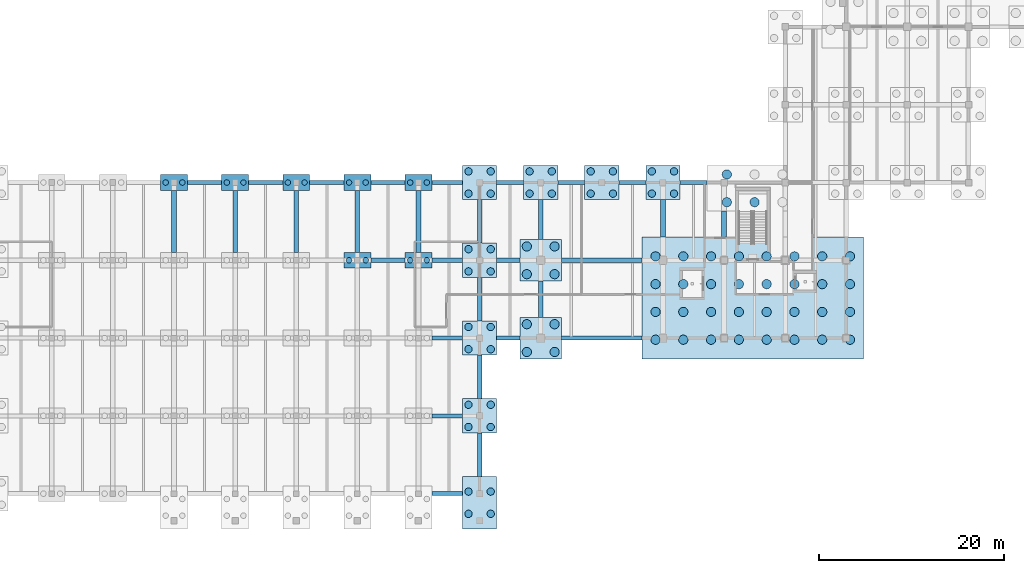
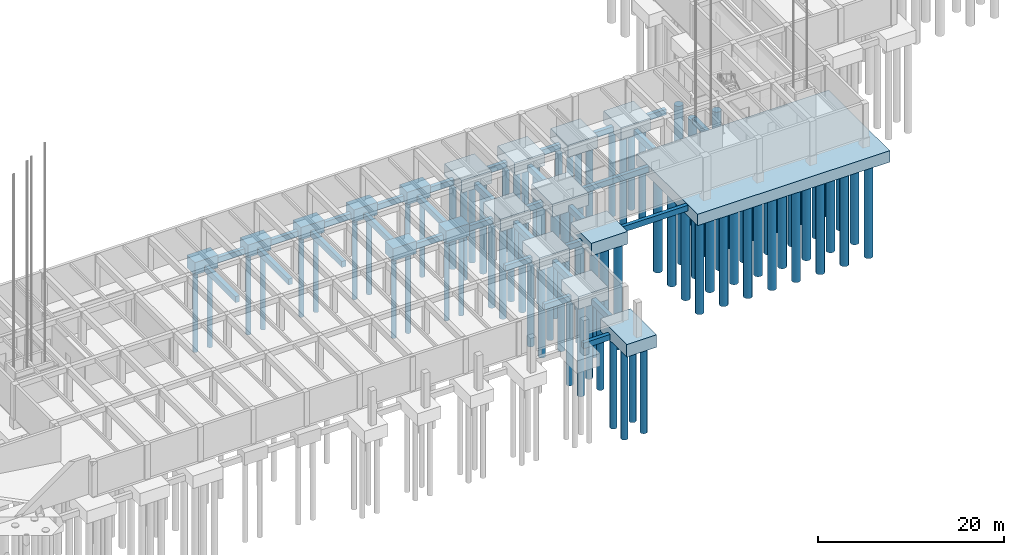
# One storey, part 3 of 44: 89 piles, 49 footings.
"""IFC4 building model written with IfcOpenShell, lengths in metres."""

from ifc_helpers import new_model, si_unit, direction, frame, origin, origin_2d, place, context, subcontext, project, spatial, rectangle, circle, extrude, material, material_profile, profile_set, type_object, element, save


model = new_model("IFC4")

# Units and contexts
model_context = context("Model", 3, precision=1e-05, world=origin(), true_north=direction((0.0, 1.0)))
body_context = subcontext(model_context, "Body", "Model", "MODEL_VIEW")
ifc_project = project(units=[si_unit("LENGTHUNIT", "METRE"), si_unit("AREAUNIT", "SQUARE_METRE"), si_unit("VOLUMEUNIT", "CUBIC_METRE"), si_unit("PLANEANGLEUNIT", "RADIAN"), si_unit("MASSUNIT", "GRAM", prefix="KILO")], contexts=[model_context])

# Site, building, storey
site_placement = place(None, origin())
site = spatial("IfcSite", under=ifc_project, at=site_placement, CompositionType="ELEMENT")
building_placement = place(site_placement, origin())
building = spatial("IfcBuilding", under=site, at=building_placement, Name="Kolvaren Faculty of Natural Sciences", CompositionType="ELEMENT")
storey_placement = place(building_placement, frame((0.0, 0.0, -4.5)))
storey = spatial("IfcBuildingStorey", under=building, at=storey_placement, Name="B01", CompositionType="ELEMENT", Elevation=-4.5)

# Piles
ifc_material = material(Name="Concrete C35/45", Category="concrete")
ifc_material_profile_1 = material_profile(ifc_material, circle(Radius=0.5, at=origin_2d()), Name="PILE D1000")
ifc_profile_set_1 = profile_set([ifc_material_profile_1], Name="Concrete C35/45")
pile_type_1 = type_object("IfcPileType", Name="BoredPile_1000", PredefinedType="BORED", material=ifc_profile_set_1)
for number, where, z_axis, x_axis, name in (
    (1, (104.300048828125, 23.89990234375, -1.949951171875), (0.0, 0.0, -1.0), (1.0, 0.0, 0.0), "Rock-socketed bored pile BP-1000 under CAP-057"),
    (2, (104.300048828125, 26.89990234375, -1.949951171875), (0.0, 0.0, -1.0), (1.0, 0.0, 0.0), "Rock-socketed bored pile BP-1000 under CAP-057"),
    (3, (107.300048828125, 23.89990234375, -1.949951171875), (0.0, 0.0, -1.0), (1.0, 0.0, 0.0), "Rock-socketed bored pile BP-1000 under CAP-057"),
    (4, (107.300048828125, 26.89990234375, -1.949951171875), (0.0, 0.0, -1.0), (1.0, 0.0, 0.0), "Rock-socketed bored pile BP-1000 under CAP-057"),
    (5, (104.300048828125, 32.300048828125, -1.949951171875), (0.0, 0.0, -1.0), (1.0, 0.0, 0.0), "Rock-socketed bored pile BP-1000 under CAP-058"),
    (6, (104.300048828125, 35.300048828125, -1.949951171875), (0.0, 0.0, -1.0), (1.0, 0.0, 0.0), "Rock-socketed bored pile BP-1000 under CAP-058"),
    (7, (107.300048828125, 32.300048828125, -1.949951171875), (0.0, 0.0, -1.0), (1.0, 0.0, 0.0), "Rock-socketed bored pile BP-1000 under CAP-058"),
    (8, (107.300048828125, 35.300048828125, -1.949951171875), (0.0, 0.0, -1.0), (1.0, 0.0, 0.0), "Rock-socketed bored pile BP-1000 under CAP-058"),
):
    element("IfcPile", number, at=place(storey_placement, frame(where, z_axis=z_axis, x_axis=x_axis)), inside=storey, type_object=pile_type_1, Name=name, PredefinedType="BORED", context=body_context, shape_type="SweptSolid", body=[
        extrude(circle(Radius=0.5, at=origin_2d()), origin(), (0.0, 0.0, 1.0), 13.85009765625),
    ])
for number, where, z_axis, x_axis, name in (
    (9, (118.199951171875, 25.22509765625, -2.60009765625), (0.0, 0.0, -1.0), (1.0, 0.0, 0.0), "Rock-socketed bored pile BP-1000 under CAP-061"),
    (10, (118.199951171875, 28.22509765625, -2.60009765625), (0.0, 0.0, -1.0), (1.0, 0.0, 0.0), "Rock-socketed bored pile BP-1000 under CAP-061"),
    (11, (118.199951171875, 31.22509765625, -2.60009765625), (0.0, 0.0, -1.0), (1.0, 0.0, 0.0), "Rock-socketed bored pile BP-1000 under CAP-061"),
    (12, (118.199951171875, 34.22509765625, -2.60009765625), (0.0, 0.0, -1.0), (1.0, 0.0, 0.0), "Rock-socketed bored pile BP-1000 under CAP-061"),
    (13, (121.199951171875, 25.22509765625, -2.60009765625), (0.0, 0.0, -1.0), (1.0, 0.0, 0.0), "Rock-socketed bored pile BP-1000 under CAP-061"),
    (14, (121.199951171875, 28.22509765625, -2.60009765625), (0.0, 0.0, -1.0), (1.0, 0.0, 0.0), "Rock-socketed bored pile BP-1000 under CAP-061"),
    (15, (121.199951171875, 31.22509765625, -2.60009765625), (0.0, 0.0, -1.0), (1.0, 0.0, 0.0), "Rock-socketed bored pile BP-1000 under CAP-061"),
    (16, (121.199951171875, 34.22509765625, -2.60009765625), (0.0, 0.0, -1.0), (1.0, 0.0, 0.0), "Rock-socketed bored pile BP-1000 under CAP-061"),
    (17, (124.199951171875, 25.22509765625, -2.60009765625), (0.0, 0.0, -1.0), (1.0, 0.0, 0.0), "Rock-socketed bored pile BP-1000 under CAP-061"),
    (18, (124.199951171875, 28.22509765625, -2.60009765625), (0.0, 0.0, -1.0), (1.0, 0.0, 0.0), "Rock-socketed bored pile BP-1000 under CAP-061"),
    (19, (124.199951171875, 31.22509765625, -2.60009765625), (0.0, 0.0, -1.0), (1.0, 0.0, 0.0), "Rock-socketed bored pile BP-1000 under CAP-061"),
    (20, (124.199951171875, 34.22509765625, -2.60009765625), (0.0, 0.0, -1.0), (1.0, 0.0, 0.0), "Rock-socketed bored pile BP-1000 under CAP-061"),
    (21, (127.199951171875, 25.22509765625, -2.60009765625), (0.0, 0.0, -1.0), (1.0, 0.0, 0.0), "Rock-socketed bored pile BP-1000 under CAP-061"),
    (22, (127.199951171875, 28.22509765625, -2.60009765625), (0.0, 0.0, -1.0), (1.0, 0.0, 0.0), "Rock-socketed bored pile BP-1000 under CAP-061"),
    (23, (127.199951171875, 31.22509765625, -2.60009765625), (0.0, 0.0, -1.0), (1.0, 0.0, 0.0), "Rock-socketed bored pile BP-1000 under CAP-061"),
    (24, (127.199951171875, 34.22509765625, -2.60009765625), (0.0, 0.0, -1.0), (1.0, 0.0, 0.0), "Rock-socketed bored pile BP-1000 under CAP-061"),
    (25, (130.199951171875, 25.22509765625, -2.60009765625), (0.0, 0.0, -1.0), (1.0, 0.0, 0.0), "Rock-socketed bored pile BP-1000 under CAP-061"),
    (26, (130.199951171875, 28.22509765625, -2.60009765625), (0.0, 0.0, -1.0), (1.0, 0.0, 0.0), "Rock-socketed bored pile BP-1000 under CAP-061"),
    (27, (130.199951171875, 31.22509765625, -2.60009765625), (0.0, 0.0, -1.0), (1.0, 0.0, 0.0), "Rock-socketed bored pile BP-1000 under CAP-061"),
    (28, (130.199951171875, 34.22509765625, -2.60009765625), (0.0, 0.0, -1.0), (1.0, 0.0, 0.0), "Rock-socketed bored pile BP-1000 under CAP-061"),
    (29, (133.199951171875, 25.22509765625, -2.60009765625), (0.0, 0.0, -1.0), (1.0, 0.0, 0.0), "Rock-socketed bored pile BP-1000 under CAP-061"),
    (30, (133.199951171875, 28.22509765625, -2.60009765625), (0.0, 0.0, -1.0), (1.0, 0.0, 0.0), "Rock-socketed bored pile BP-1000 under CAP-061"),
    (31, (133.199951171875, 31.22509765625, -2.60009765625), (0.0, 0.0, -1.0), (1.0, 0.0, 0.0), "Rock-socketed bored pile BP-1000 under CAP-061"),
    (32, (133.199951171875, 34.22509765625, -2.60009765625), (0.0, 0.0, -1.0), (1.0, 0.0, 0.0), "Rock-socketed bored pile BP-1000 under CAP-061"),
    (33, (136.199951171875, 25.22509765625, -2.60009765625), (0.0, 0.0, -1.0), (1.0, 0.0, 0.0), "Rock-socketed bored pile BP-1000 under CAP-061"),
    (34, (136.199951171875, 28.22509765625, -2.60009765625), (0.0, 0.0, -1.0), (1.0, 0.0, 0.0), "Rock-socketed bored pile BP-1000 under CAP-061"),
    (35, (136.199951171875, 31.22509765625, -2.60009765625), (0.0, 0.0, -1.0), (1.0, 0.0, 0.0), "Rock-socketed bored pile BP-1000 under CAP-061"),
    (36, (136.199951171875, 34.22509765625, -2.60009765625), (0.0, 0.0, -1.0), (1.0, 0.0, 0.0), "Rock-socketed bored pile BP-1000 under CAP-061"),
    (37, (139.199951171875, 25.22509765625, -2.60009765625), (0.0, 0.0, -1.0), (1.0, 0.0, 0.0), "Rock-socketed bored pile BP-1000 under CAP-061"),
    (38, (139.199951171875, 28.22509765625, -2.60009765625), (0.0, 0.0, -1.0), (1.0, 0.0, 0.0), "Rock-socketed bored pile BP-1000 under CAP-061"),
    (39, (139.199951171875, 31.22509765625, -2.60009765625), (0.0, 0.0, -1.0), (1.0, 0.0, 0.0), "Rock-socketed bored pile BP-1000 under CAP-061"),
    (40, (139.199951171875, 34.22509765625, -2.60009765625), (0.0, 0.0, -1.0), (1.0, 0.0, 0.0), "Rock-socketed bored pile BP-1000 under CAP-061"),
):
    element("IfcPile", number, at=place(storey_placement, frame(where, z_axis=z_axis, x_axis=x_axis)), inside=storey, type_object=pile_type_1, Name=name, PredefinedType="BORED", context=body_context, shape_type="SweptSolid", body=[
        extrude(circle(Radius=0.5, at=origin_2d()), origin(), (0.0, 0.0, 1.0), 13.199951171875),
    ])
for number, where, z_axis, x_axis, name in (
    (41, (125.89990234375, 40.074951171875, -1.949951171875), (0.0, 0.0, -1.0), (1.0, 0.0, 0.0), "Rock-socketed bored pile BP-1000 under CAP-063"),
    (42, (125.89990234375, 43.074951171875, -1.949951171875), (0.0, 0.0, -1.0), (1.0, 0.0, 0.0), "Rock-socketed bored pile BP-1000 under CAP-063"),
    (43, (128.89990234375, 40.074951171875, -1.949951171875), (0.0, 0.0, -1.0), (1.0, 0.0, 0.0), "Rock-socketed bored pile BP-1000 under CAP-063"),
):
    element("IfcPile", number, at=place(storey_placement, frame(where, z_axis=z_axis, x_axis=x_axis)), inside=storey, type_object=pile_type_1, Name=name, PredefinedType="BORED", context=body_context, shape_type="SweptSolid", body=[
        extrude(circle(Radius=0.5, at=origin_2d()), origin(), (0.0, 0.0, 1.0), 13.85009765625),
    ])
ifc_material_profile_2 = material_profile(ifc_material, circle(Radius=0.300048828125, at=origin_2d()), Name="PILE D600")
ifc_profile_set_2 = profile_set([ifc_material_profile_2], Name="Concrete C35/45")
pile_type_2 = type_object("IfcPileType", Name="BoredPile_600", PredefinedType="BORED", material=ifc_profile_set_2)
for number, where, z_axis, x_axis, name in (
    (44, (65.300048828125, 42.199951171875, -1.949951171875), (0.0, 0.0, -1.0), (1.0, 0.0, 0.0), "Rock-socketed bored pile BP-600 under CAP-031"),
    (45, (67.10009765625, 42.199951171875, -1.949951171875), (0.0, 0.0, -1.0), (1.0, 0.0, 0.0), "Rock-socketed bored pile BP-600 under CAP-031"),
    (46, (71.89990234375, 42.199951171875, -1.949951171875), (0.0, 0.0, -1.0), (1.0, 0.0, 0.0), "Rock-socketed bored pile BP-600 under CAP-036"),
    (47, (73.699951171875, 42.199951171875, -1.949951171875), (0.0, 0.0, -1.0), (1.0, 0.0, 0.0), "Rock-socketed bored pile BP-600 under CAP-036"),
    (48, (78.5, 42.199951171875, -1.949951171875), (0.0, 0.0, -1.0), (1.0, 0.0, 0.0), "Rock-socketed bored pile BP-600 under CAP-041"),
    (49, (80.300048828125, 42.199951171875, -1.949951171875), (0.0, 0.0, -1.0), (1.0, 0.0, 0.0), "Rock-socketed bored pile BP-600 under CAP-041"),
    (50, (85.10009765625, 33.800048828125, -1.949951171875), (0.0, 0.0, -1.0), (1.0, 0.0, 0.0), "Rock-socketed bored pile BP-600 under CAP-045"),
    (51, (86.89990234375, 33.800048828125, -1.949951171875), (0.0, 0.0, -1.0), (1.0, 0.0, 0.0), "Rock-socketed bored pile BP-600 under CAP-045"),
    (52, (85.10009765625, 42.199951171875, -1.949951171875), (0.0, 0.0, -1.0), (1.0, 0.0, 0.0), "Rock-socketed bored pile BP-600 under CAP-046"),
    (53, (86.89990234375, 42.199951171875, -1.949951171875), (0.0, 0.0, -1.0), (1.0, 0.0, 0.0), "Rock-socketed bored pile BP-600 under CAP-046"),
    (54, (91.699951171875, 33.800048828125, -1.949951171875), (0.0, 0.0, -1.0), (1.0, 0.0, 0.0), "Rock-socketed bored pile BP-600 under CAP-050"),
    (55, (93.5, 33.800048828125, -1.949951171875), (0.0, 0.0, -1.0), (1.0, 0.0, 0.0), "Rock-socketed bored pile BP-600 under CAP-050"),
    (56, (91.699951171875, 42.199951171875, -1.949951171875), (0.0, 0.0, -1.0), (1.0, 0.0, 0.0), "Rock-socketed bored pile BP-600 under CAP-051"),
    (57, (93.5, 42.199951171875, -1.949951171875), (0.0, 0.0, -1.0), (1.0, 0.0, 0.0), "Rock-socketed bored pile BP-600 under CAP-051"),
):
    element("IfcPile", number, at=place(storey_placement, frame(where, z_axis=z_axis, x_axis=x_axis)), inside=storey, type_object=pile_type_2, Name=name, PredefinedType="BORED", context=body_context, shape_type="SweptSolid", body=[
        extrude(circle(Radius=0.300048828125, at=origin_2d()), origin(), (0.0, 0.0, 1.0), 10.75),
    ])
ifc_material_profile_3 = material_profile(ifc_material, circle(Radius=0.39990234375, at=origin_2d()), Name="PILE D800")
ifc_profile_set_3 = profile_set([ifc_material_profile_3], Name="Concrete C35/45")
pile_type_3 = type_object("IfcPileType", Name="BoredPile_800", PredefinedType="BORED", material=ifc_profile_set_3)
for number, where, z_axis, x_axis, name in (
    (58, (98.0, 6.425048828125, -1.949951171875), (0.0, 0.0, -1.0), (1.0, 0.0, 0.0), "Rock-socketed bored pile BP-800 under CAP-052"),
    (59, (98.0, 8.824951171875, -1.949951171875), (0.0, 0.0, -1.0), (1.0, 0.0, 0.0), "Rock-socketed bored pile BP-800 under CAP-052"),
    (60, (100.39990234375, 6.425048828125, -1.949951171875), (0.0, 0.0, -1.0), (1.0, 0.0, 0.0), "Rock-socketed bored pile BP-800 under CAP-052"),
    (61, (100.39990234375, 8.824951171875, -1.949951171875), (0.0, 0.0, -1.0), (1.0, 0.0, 0.0), "Rock-socketed bored pile BP-800 under CAP-052"),
    (62, (98.0, 15.800048828125, -1.949951171875), (0.0, 0.0, -1.0), (1.0, 0.0, 0.0), "Rock-socketed bored pile BP-800 under CAP-053"),
    (63, (98.0, 18.199951171875, -1.949951171875), (0.0, 0.0, -1.0), (1.0, 0.0, 0.0), "Rock-socketed bored pile BP-800 under CAP-053"),
    (64, (100.39990234375, 15.800048828125, -1.949951171875), (0.0, 0.0, -1.0), (1.0, 0.0, 0.0), "Rock-socketed bored pile BP-800 under CAP-053"),
    (65, (100.39990234375, 18.199951171875, -1.949951171875), (0.0, 0.0, -1.0), (1.0, 0.0, 0.0), "Rock-socketed bored pile BP-800 under CAP-053"),
    (66, (98.0, 24.199951171875, -1.949951171875), (0.0, 0.0, -1.0), (1.0, 0.0, 0.0), "Rock-socketed bored pile BP-800 under CAP-054"),
    (67, (98.0, 26.60009765625, -1.949951171875), (0.0, 0.0, -1.0), (1.0, 0.0, 0.0), "Rock-socketed bored pile BP-800 under CAP-054"),
    (68, (100.39990234375, 24.199951171875, -1.949951171875), (0.0, 0.0, -1.0), (1.0, 0.0, 0.0), "Rock-socketed bored pile BP-800 under CAP-054"),
    (69, (100.39990234375, 26.60009765625, -1.949951171875), (0.0, 0.0, -1.0), (1.0, 0.0, 0.0), "Rock-socketed bored pile BP-800 under CAP-054"),
    (70, (98.0, 32.60009765625, -1.949951171875), (0.0, 0.0, -1.0), (1.0, 0.0, 0.0), "Rock-socketed bored pile BP-800 under CAP-055"),
    (71, (98.0, 35.0, -1.949951171875), (0.0, 0.0, -1.0), (1.0, 0.0, 0.0), "Rock-socketed bored pile BP-800 under CAP-055"),
    (72, (100.39990234375, 32.60009765625, -1.949951171875), (0.0, 0.0, -1.0), (1.0, 0.0, 0.0), "Rock-socketed bored pile BP-800 under CAP-055"),
    (73, (100.39990234375, 35.0, -1.949951171875), (0.0, 0.0, -1.0), (1.0, 0.0, 0.0), "Rock-socketed bored pile BP-800 under CAP-055"),
    (74, (98.0, 41.0, -1.949951171875), (0.0, 0.0, -1.0), (1.0, 0.0, 0.0), "Rock-socketed bored pile BP-800 under CAP-056"),
    (75, (98.0, 43.39990234375, -1.949951171875), (0.0, 0.0, -1.0), (1.0, 0.0, 0.0), "Rock-socketed bored pile BP-800 under CAP-056"),
    (76, (100.39990234375, 41.0, -1.949951171875), (0.0, 0.0, -1.0), (1.0, 0.0, 0.0), "Rock-socketed bored pile BP-800 under CAP-056"),
    (77, (100.39990234375, 43.39990234375, -1.949951171875), (0.0, 0.0, -1.0), (1.0, 0.0, 0.0), "Rock-socketed bored pile BP-800 under CAP-056"),
    (78, (104.60009765625, 41.0, -1.949951171875), (0.0, 0.0, -1.0), (1.0, 0.0, 0.0), "Rock-socketed bored pile BP-800 under CAP-059"),
    (79, (104.60009765625, 43.39990234375, -1.949951171875), (0.0, 0.0, -1.0), (1.0, 0.0, 0.0), "Rock-socketed bored pile BP-800 under CAP-059"),
    (80, (107.0, 41.0, -1.949951171875), (0.0, 0.0, -1.0), (1.0, 0.0, 0.0), "Rock-socketed bored pile BP-800 under CAP-059"),
    (81, (107.0, 43.39990234375, -1.949951171875), (0.0, 0.0, -1.0), (1.0, 0.0, 0.0), "Rock-socketed bored pile BP-800 under CAP-059"),
    (82, (111.199951171875, 41.0, -1.949951171875), (0.0, 0.0, -1.0), (1.0, 0.0, 0.0), "Rock-socketed bored pile BP-800 under CAP-060"),
    (83, (111.199951171875, 43.39990234375, -1.949951171875), (0.0, 0.0, -1.0), (1.0, 0.0, 0.0), "Rock-socketed bored pile BP-800 under CAP-060"),
    (84, (113.60009765625, 41.0, -1.949951171875), (0.0, 0.0, -1.0), (1.0, 0.0, 0.0), "Rock-socketed bored pile BP-800 under CAP-060"),
    (85, (113.60009765625, 43.39990234375, -1.949951171875), (0.0, 0.0, -1.0), (1.0, 0.0, 0.0), "Rock-socketed bored pile BP-800 under CAP-060"),
    (86, (117.800048828125, 41.0, -1.949951171875), (0.0, 0.0, -1.0), (1.0, 0.0, 0.0), "Rock-socketed bored pile BP-800 under CAP-062"),
    (87, (117.800048828125, 43.39990234375, -1.949951171875), (0.0, 0.0, -1.0), (1.0, 0.0, 0.0), "Rock-socketed bored pile BP-800 under CAP-062"),
    (88, (120.199951171875, 41.0, -1.949951171875), (0.0, 0.0, -1.0), (1.0, 0.0, 0.0), "Rock-socketed bored pile BP-800 under CAP-062"),
    (89, (120.199951171875, 43.39990234375, -1.949951171875), (0.0, 0.0, -1.0), (1.0, 0.0, 0.0), "Rock-socketed bored pile BP-800 under CAP-062"),
):
    element("IfcPile", number, at=place(storey_placement, frame(where, z_axis=z_axis, x_axis=x_axis)), inside=storey, type_object=pile_type_3, Name=name, PredefinedType="BORED", context=body_context, shape_type="SweptSolid", body=[
        extrude(circle(Radius=0.39990234375, at=origin_2d()), origin(), (0.0, 0.0, 1.0), 11.949951171875),
    ])

# Footings
ifc_material_profile_4 = material_profile(ifc_material, rectangle(XDim=0.449951171875, YDim=0.75, at=origin_2d()), Name="RC FB 450x750")
ifc_profile_set_4 = profile_set([ifc_material_profile_4], Name="Concrete C35/45")
footing_type_1 = type_object("IfcFootingType", Name="FootingTieBeam_450x750", PredefinedType="FOOTING_BEAM", material=ifc_profile_set_4)
for number, where, z_axis, x_axis, name in (
    (90, (94.050048828125, 8.60009765625, -1.60009765625), (1.0, 0.0, 0.0), (0.0, 1.0, 0.0), "B01 orthogonal foundation tie beam FB-02"),
    (91, (94.050048828125, 17.0, -1.60009765625), (1.0, 0.0, 0.0), (0.0, 1.0, 0.0), "B01 orthogonal foundation tie beam FB-02"),
    (92, (94.050048828125, 25.39990234375, -1.60009765625), (1.0, 0.0, 0.0), (0.0, 1.0, 0.0), "B01 orthogonal foundation tie beam FB-02"),
):
    element("IfcFooting", number, at=place(storey_placement, frame(where, z_axis=z_axis, x_axis=x_axis)), inside=storey, type_object=footing_type_1, Name=name, PredefinedType="FOOTING_BEAM", context=body_context, shape_type="SweptSolid", body=[
        extrude(rectangle(XDim=0.449951171875, YDim=0.75, at=origin_2d()), origin(), (0.0, 0.0, 1.0), 3.300048828125),
    ])
footing_1_placement = place(storey_placement, frame((101.050048828125, 25.39990234375, -1.60009765625), z_axis=(1.0, 0.0, 0.0), x_axis=(0.0, 1.0, 0.0)))
element("IfcFooting", 93, at=footing_1_placement, inside=storey, type_object=footing_type_1, Name="B01 orthogonal foundation tie beam FB-02", PredefinedType="FOOTING_BEAM", context=body_context, shape_type="SweptSolid", body=[
    extrude(rectangle(XDim=0.449951171875, YDim=0.75, at=origin_2d()), origin(), (0.0, 0.0, 1.0), 2.5),
])
footing_2_placement = place(storey_placement, frame((108.050048828125, 25.39990234375, -1.60009765625), z_axis=(1.0, 0.0, 0.0), x_axis=(0.0, 1.0, 0.0)))
element("IfcFooting", 94, at=footing_2_placement, inside=storey, type_object=footing_type_1, Name="B01 orthogonal foundation tie beam FB-02", PredefinedType="FOOTING_BEAM", context=body_context, shape_type="SweptSolid", body=[
    extrude(rectangle(XDim=0.449951171875, YDim=0.75, at=origin_2d()), origin(), (0.0, 0.0, 1.0), 8.699951171875),
])
footing_3_placement = place(storey_placement, frame((87.449951171875, 33.800048828125, -1.60009765625), z_axis=(1.0, 0.0, 0.0), x_axis=(0.0, 1.0, 0.0)))
element("IfcFooting", 95, at=footing_3_placement, inside=storey, type_object=footing_type_1, Name="B01 orthogonal foundation tie beam FB-02", PredefinedType="FOOTING_BEAM", context=body_context, shape_type="SweptSolid", body=[
    extrude(rectangle(XDim=0.449951171875, YDim=0.75, at=origin_2d()), origin(), (0.0, 0.0, 1.0), 3.699951171875),
])
footing_4_placement = place(storey_placement, frame((94.050048828125, 33.800048828125, -1.60009765625), z_axis=(1.0, 0.0, 0.0), x_axis=(0.0, 1.0, 0.0)))
element("IfcFooting", 96, at=footing_4_placement, inside=storey, type_object=footing_type_1, Name="B01 orthogonal foundation tie beam FB-02", PredefinedType="FOOTING_BEAM", context=body_context, shape_type="SweptSolid", body=[
    extrude(rectangle(XDim=0.449951171875, YDim=0.75, at=origin_2d()), origin(), (0.0, 0.0, 1.0), 3.300048828125),
])
footing_5_placement = place(storey_placement, frame((101.050048828125, 33.800048828125, -1.60009765625), z_axis=(1.0, 0.0, 0.0), x_axis=(0.0, 1.0, 0.0)))
element("IfcFooting", 97, at=footing_5_placement, inside=storey, type_object=footing_type_1, Name="B01 orthogonal foundation tie beam FB-02", PredefinedType="FOOTING_BEAM", context=body_context, shape_type="SweptSolid", body=[
    extrude(rectangle(XDim=0.449951171875, YDim=0.75, at=origin_2d()), origin(), (0.0, 0.0, 1.0), 2.5),
])
footing_6_placement = place(storey_placement, frame((108.050048828125, 33.800048828125, -1.60009765625), z_axis=(1.0, 0.0, 0.0), x_axis=(0.0, 1.0, 0.0)))
element("IfcFooting", 98, at=footing_6_placement, inside=storey, type_object=footing_type_1, Name="B01 orthogonal foundation tie beam FB-02", PredefinedType="FOOTING_BEAM", context=body_context, shape_type="SweptSolid", body=[
    extrude(rectangle(XDim=0.449951171875, YDim=0.75, at=origin_2d()), origin(), (0.0, 0.0, 1.0), 8.699951171875),
])
footing_7_placement = place(storey_placement, frame((67.64990234375, 42.199951171875, -1.60009765625), z_axis=(1.0, 0.0, 0.0), x_axis=(0.0, 1.0, 0.0)))
element("IfcFooting", 99, at=footing_7_placement, inside=storey, type_object=footing_type_1, Name="B01 orthogonal foundation tie beam FB-02", PredefinedType="FOOTING_BEAM", context=body_context, shape_type="SweptSolid", body=[
    extrude(rectangle(XDim=0.449951171875, YDim=0.75, at=origin_2d()), origin(), (0.0, 0.0, 1.0), 3.7001953125),
])
for number, where, z_axis, x_axis, name in (
    (100, (74.25, 42.199951171875, -1.60009765625), (1.0, 0.0, 0.0), (0.0, 1.0, 0.0), "B01 orthogonal foundation tie beam FB-02"),
    (101, (80.85009765625, 42.199951171875, -1.60009765625), (1.0, 0.0, 0.0), (0.0, 1.0, 0.0), "B01 orthogonal foundation tie beam FB-02"),
    (102, (87.449951171875, 42.199951171875, -1.60009765625), (1.0, 0.0, 0.0), (0.0, 1.0, 0.0), "B01 orthogonal foundation tie beam FB-02"),
):
    element("IfcFooting", number, at=place(storey_placement, frame(where, z_axis=z_axis, x_axis=x_axis)), inside=storey, type_object=footing_type_1, Name=name, PredefinedType="FOOTING_BEAM", context=body_context, shape_type="SweptSolid", body=[
        extrude(rectangle(XDim=0.449951171875, YDim=0.75, at=origin_2d()), origin(), (0.0, 0.0, 1.0), 3.699951171875),
    ])
footing_8_placement = place(storey_placement, frame((94.050048828125, 42.199951171875, -1.60009765625), z_axis=(1.0, 0.0, 0.0), x_axis=(0.0, 1.0, 0.0)))
element("IfcFooting", 103, at=footing_8_placement, inside=storey, type_object=footing_type_1, Name="B01 orthogonal foundation tie beam FB-02", PredefinedType="FOOTING_BEAM", context=body_context, shape_type="SweptSolid", body=[
    extrude(rectangle(XDim=0.449951171875, YDim=0.75, at=origin_2d()), origin(), (0.0, 0.0, 1.0), 3.300048828125),
])
footing_9_placement = place(storey_placement, frame((101.050048828125, 42.199951171875, -1.60009765625), z_axis=(1.0, 0.0, 0.0), x_axis=(0.0, 1.0, 0.0)))
element("IfcFooting", 104, at=footing_9_placement, inside=storey, type_object=footing_type_1, Name="B01 orthogonal foundation tie beam FB-02", PredefinedType="FOOTING_BEAM", context=body_context, shape_type="SweptSolid", body=[
    extrude(rectangle(XDim=0.449951171875, YDim=0.75, at=origin_2d()), origin(), (0.0, 0.0, 1.0), 2.89990234375),
])
footing_10_placement = place(storey_placement, frame((107.64990234375, 42.199951171875, -1.60009765625), z_axis=(1.0, 0.0, 0.0), x_axis=(0.0, 1.0, 0.0)))
element("IfcFooting", 105, at=footing_10_placement, inside=storey, type_object=footing_type_1, Name="B01 orthogonal foundation tie beam FB-02", PredefinedType="FOOTING_BEAM", context=body_context, shape_type="SweptSolid", body=[
    extrude(rectangle(XDim=0.449951171875, YDim=0.75, at=origin_2d()), origin(), (0.0, 0.0, 1.0), 2.900146484375),
])
for number, where, z_axis, x_axis, name in (
    (106, (114.25, 42.199951171875, -1.60009765625), (1.0, 0.0, 0.0), (0.0, 1.0, 0.0), "B01 orthogonal foundation tie beam FB-02"),
    (107, (120.85009765625, 42.199951171875, -1.60009765625), (1.0, 0.0, 0.0), (0.0, 1.0, 0.0), "B01 orthogonal foundation tie beam FB-02"),
):
    element("IfcFooting", number, at=place(storey_placement, frame(where, z_axis=z_axis, x_axis=x_axis)), inside=storey, type_object=footing_type_1, Name=name, PredefinedType="FOOTING_BEAM", context=body_context, shape_type="SweptSolid", body=[
        extrude(rectangle(XDim=0.449951171875, YDim=0.75, at=origin_2d()), origin(), (0.0, 0.0, 1.0), 2.89990234375),
    ])
ifc_material_profile_5 = material_profile(ifc_material, rectangle(XDim=0.5, YDim=0.800048828125, at=origin_2d()), Name="RC FB 500x800")
ifc_profile_set_5 = profile_set([ifc_material_profile_5], Name="Concrete C35/45")
footing_type_2 = type_object("IfcFootingType", Name="FootingTieBeam_500x800", PredefinedType="FOOTING_BEAM", material=ifc_profile_set_5)
for number, where, z_axis, x_axis, name in (
    (108, (66.199951171875, 34.64990234375, -1.6201171875), (0.0, 1.0, 0.0), (-1.0, 0.0, 0.0), "B01 orthogonal foundation tie beam FB-03"),
    (109, (72.800048828125, 34.64990234375, -1.6201171875), (0.0, 1.0, 0.0), (-1.0, 0.0, 0.0), "B01 orthogonal foundation tie beam FB-03"),
    (110, (79.39990234375, 34.64990234375, -1.6201171875), (0.0, 1.0, 0.0), (-1.0, 0.0, 0.0), "B01 orthogonal foundation tie beam FB-03"),
    (111, (86.0, 34.64990234375, -1.6201171875), (0.0, 1.0, 0.0), (-1.0, 0.0, 0.0), "B01 orthogonal foundation tie beam FB-03"),
    (112, (92.60009765625, 34.64990234375, -1.6201171875), (0.0, 1.0, 0.0), (-1.0, 0.0, 0.0), "B01 orthogonal foundation tie beam FB-03"),
):
    element("IfcFooting", number, at=place(storey_placement, frame(where, z_axis=z_axis, x_axis=x_axis)), inside=storey, type_object=footing_type_2, Name=name, PredefinedType="FOOTING_BEAM", context=body_context, shape_type="SweptSolid", body=[
        extrude(rectangle(XDim=0.5, YDim=0.800048828125, at=origin_2d()), origin(), (0.0, 0.0, 1.0), 6.7001953125),
    ])
for number, where, z_axis, x_axis, name in (
    (113, (99.199951171875, 10.449951171875, -1.6201171875), (0.0, 1.0, 0.0), (-1.0, 0.0, 0.0), "B01 orthogonal foundation tie beam FB-03"),
    (114, (99.199951171875, 18.85009765625, -1.6201171875), (0.0, 1.0, 0.0), (-1.0, 0.0, 0.0), "B01 orthogonal foundation tie beam FB-03"),
    (115, (99.199951171875, 27.25, -1.6201171875), (0.0, 1.0, 0.0), (-1.0, 0.0, 0.0), "B01 orthogonal foundation tie beam FB-03"),
):
    element("IfcFooting", number, at=place(storey_placement, frame(where, z_axis=z_axis, x_axis=x_axis)), inside=storey, type_object=footing_type_2, Name=name, PredefinedType="FOOTING_BEAM", context=body_context, shape_type="SweptSolid", body=[
        extrude(rectangle(XDim=0.5, YDim=0.800048828125, at=origin_2d()), origin(), (0.0, 0.0, 1.0), 4.699951171875),
    ])
footing_11_placement = place(storey_placement, frame((99.199951171875, 35.64990234375, -1.6201171875), z_axis=(0.0, 1.0, 0.0), x_axis=(-1.0, 0.0, 0.0)))
element("IfcFooting", 116, at=footing_11_placement, inside=storey, type_object=footing_type_2, Name="B01 orthogonal foundation tie beam FB-03", PredefinedType="FOOTING_BEAM", context=body_context, shape_type="SweptSolid", body=[
    extrude(rectangle(XDim=0.5, YDim=0.800048828125, at=origin_2d()), origin(), (0.0, 0.0, 1.0), 4.7001953125),
])
footing_12_placement = place(storey_placement, frame((105.800048828125, 27.64990234375, -1.6201171875), z_axis=(0.0, 1.0, 0.0), x_axis=(-1.0, 0.0, 0.0)))
element("IfcFooting", 117, at=footing_12_placement, inside=storey, type_object=footing_type_2, Name="B01 orthogonal foundation tie beam FB-03", PredefinedType="FOOTING_BEAM", context=body_context, shape_type="SweptSolid", body=[
    extrude(rectangle(XDim=0.5, YDim=0.800048828125, at=origin_2d()), origin(), (0.0, 0.0, 1.0), 3.900146484375),
])
footing_13_placement = place(storey_placement, frame((105.800048828125, 36.050048828125, -1.6201171875), z_axis=(0.0, 1.0, 0.0), x_axis=(-1.0, 0.0, 0.0)))
element("IfcFooting", 118, at=footing_13_placement, inside=storey, type_object=footing_type_2, Name="B01 orthogonal foundation tie beam FB-03", PredefinedType="FOOTING_BEAM", context=body_context, shape_type="SweptSolid", body=[
    extrude(rectangle(XDim=0.5, YDim=0.800048828125, at=origin_2d()), origin(), (0.0, 0.0, 1.0), 4.300048828125),
])
footing_14_placement = place(storey_placement, frame((119.0, 36.300048828125, -1.6201171875), z_axis=(0.0, 1.0, 0.0), x_axis=(-1.0, 0.0, 0.0)))
element("IfcFooting", 119, at=footing_14_placement, inside=storey, type_object=footing_type_2, Name="B01 orthogonal foundation tie beam FB-03", PredefinedType="FOOTING_BEAM", context=body_context, shape_type="SweptSolid", body=[
    extrude(rectangle(XDim=0.5, YDim=0.800048828125, at=origin_2d()), origin(), (0.0, 0.0, 1.0), 4.050048828125),
])
footing_15_placement = place(storey_placement, frame((125.60009765625, 36.300048828125, -1.6201171875), z_axis=(0.0, 1.0, 0.0), x_axis=(-1.0, 0.0, 0.0)))
element("IfcFooting", 120, at=footing_15_placement, inside=storey, type_object=footing_type_2, Name="B01 orthogonal foundation tie beam FB-03", PredefinedType="FOOTING_BEAM", context=body_context, shape_type="SweptSolid", body=[
    extrude(rectangle(XDim=0.5, YDim=0.800048828125, at=origin_2d()), origin(), (0.0, 0.0, 1.0), 2.800048828125),
])
footing_type_3 = type_object("IfcFootingType", Name="PileCap_23900x13150x1500", PredefinedType="PILE_CAP", material=ifc_material)
footing_16_placement = place(storey_placement, frame((128.699951171875, 29.72509765625, -2.699951171875), z_axis=(0.0, 0.0, 1.0), x_axis=(1.0, 0.0, 0.0)))
element("IfcFooting", 121, at=footing_16_placement, inside=storey, type_object=footing_type_3, Name="B01 reinforced concrete pile cap PC-12 (CAP-061)", PredefinedType="PILE_CAP", context=body_context, shape_type="SweptSolid", body=[
    extrude(rectangle(XDim=23.89990234375, YDim=13.14990234375, at=origin_2d()), origin(), (0.0, 0.0, 1.0), 1.5),
])
footing_type_4 = type_object("IfcFootingType", Name="PileCap_2900x1700x1650", PredefinedType="PILE_CAP", material=ifc_material)
for number, where, z_axis, x_axis, name in (
    (122, (66.199951171875, 42.199951171875, -2.050048828125), (0.0, 0.0, 1.0), (1.0, 0.0, 0.0), "B01 reinforced concrete pile cap PC-08 (CAP-031)"),
    (123, (72.800048828125, 42.199951171875, -2.050048828125), (0.0, 0.0, 1.0), (1.0, 0.0, 0.0), "B01 reinforced concrete pile cap PC-08 (CAP-036)"),
    (124, (79.39990234375, 42.199951171875, -2.050048828125), (0.0, 0.0, 1.0), (1.0, 0.0, 0.0), "B01 reinforced concrete pile cap PC-08 (CAP-041)"),
    (125, (86.0, 33.800048828125, -2.050048828125), (0.0, 0.0, 1.0), (1.0, 0.0, 0.0), "B01 reinforced concrete pile cap PC-08 (CAP-045)"),
    (126, (86.0, 42.199951171875, -2.050048828125), (0.0, 0.0, 1.0), (1.0, 0.0, 0.0), "B01 reinforced concrete pile cap PC-08 (CAP-046)"),
    (127, (92.60009765625, 33.800048828125, -2.050048828125), (0.0, 0.0, 1.0), (1.0, 0.0, 0.0), "B01 reinforced concrete pile cap PC-08 (CAP-050)"),
    (128, (92.60009765625, 42.199951171875, -2.050048828125), (0.0, 0.0, 1.0), (1.0, 0.0, 0.0), "B01 reinforced concrete pile cap PC-08 (CAP-051)"),
):
    element("IfcFooting", number, at=place(storey_placement, frame(where, z_axis=z_axis, x_axis=x_axis)), inside=storey, type_object=footing_type_4, Name=name, PredefinedType="PILE_CAP", context=body_context, shape_type="SweptSolid", body=[
        extrude(rectangle(XDim=2.89990234375, YDim=1.699951171875, at=origin_2d()), origin(), (0.0, 0.0, 1.0), 1.64990234375),
    ])
footing_type_5 = type_object("IfcFootingType", Name="PileCap_3700x3700x1650", PredefinedType="PILE_CAP", material=ifc_material)
for number, where, z_axis, x_axis, name in (
    (129, (99.199951171875, 17.0, -2.050048828125), (0.0, 0.0, 1.0), (1.0, 0.0, 0.0), "B01 reinforced concrete pile cap PC-05 (CAP-053)"),
    (130, (99.199951171875, 25.39990234375, -2.050048828125), (0.0, 0.0, 1.0), (1.0, 0.0, 0.0), "B01 reinforced concrete pile cap PC-05 (CAP-054)"),
    (131, (99.199951171875, 33.800048828125, -2.050048828125), (0.0, 0.0, 1.0), (1.0, 0.0, 0.0), "B01 reinforced concrete pile cap PC-05 (CAP-055)"),
    (132, (99.199951171875, 42.199951171875, -2.050048828125), (0.0, 0.0, 1.0), (1.0, 0.0, 0.0), "B01 reinforced concrete pile cap PC-05 (CAP-056)"),
    (133, (105.800048828125, 42.199951171875, -2.050048828125), (0.0, 0.0, 1.0), (1.0, 0.0, 0.0), "B01 reinforced concrete pile cap PC-05 (CAP-059)"),
    (134, (112.39990234375, 42.199951171875, -2.050048828125), (0.0, 0.0, 1.0), (1.0, 0.0, 0.0), "B01 reinforced concrete pile cap PC-05 (CAP-060)"),
    (135, (119.0, 42.199951171875, -2.050048828125), (0.0, 0.0, 1.0), (1.0, 0.0, 0.0), "B01 reinforced concrete pile cap PC-05 (CAP-062)"),
):
    element("IfcFooting", number, at=place(storey_placement, frame(where, z_axis=z_axis, x_axis=x_axis)), inside=storey, type_object=footing_type_5, Name=name, PredefinedType="PILE_CAP", context=body_context, shape_type="SweptSolid", body=[
        extrude(rectangle(XDim=3.699951171875, YDim=3.699951171875, at=origin_2d()), origin(), (0.0, 0.0, 1.0), 1.64990234375),
    ])
footing_type_6 = type_object("IfcFootingType", Name="PileCap_3700x5650x1650", PredefinedType="PILE_CAP", material=ifc_material)
footing_17_placement = place(storey_placement, frame((99.199951171875, 7.625, -2.050048828125), z_axis=(0.0, 0.0, 1.0), x_axis=(1.0, 0.0, 0.0)))
element("IfcFooting", 136, at=footing_17_placement, inside=storey, type_object=footing_type_6, Name="B01 reinforced concrete pile cap PC-10 (CAP-052)", PredefinedType="PILE_CAP", context=body_context, shape_type="SweptSolid", body=[
    extrude(rectangle(XDim=3.699951171875, YDim=5.64990234375, at=origin_2d()), origin(), (0.0, 0.0, 1.0), 1.64990234375),
])
footing_type_7 = type_object("IfcFootingType", Name="PileCap_4500x4500x1650", PredefinedType="PILE_CAP", material=ifc_material)
for number, where, z_axis, x_axis, name in (
    (137, (105.800048828125, 25.39990234375, -2.050048828125), (0.0, 0.0, 1.0), (1.0, 0.0, 0.0), "B01 reinforced concrete pile cap PC-11 (CAP-057)"),
    (138, (105.800048828125, 33.800048828125, -2.050048828125), (0.0, 0.0, 1.0), (1.0, 0.0, 0.0), "B01 reinforced concrete pile cap PC-11 (CAP-058)"),
):
    element("IfcFooting", number, at=place(storey_placement, frame(where, z_axis=z_axis, x_axis=x_axis)), inside=storey, type_object=footing_type_7, Name=name, PredefinedType="PILE_CAP", context=body_context, shape_type="SweptSolid", body=[
        extrude(rectangle(XDim=4.5, YDim=4.5, at=origin_2d()), origin(), (0.0, 0.0, 1.0), 1.64990234375),
    ])

save(model, "model.ifc")
